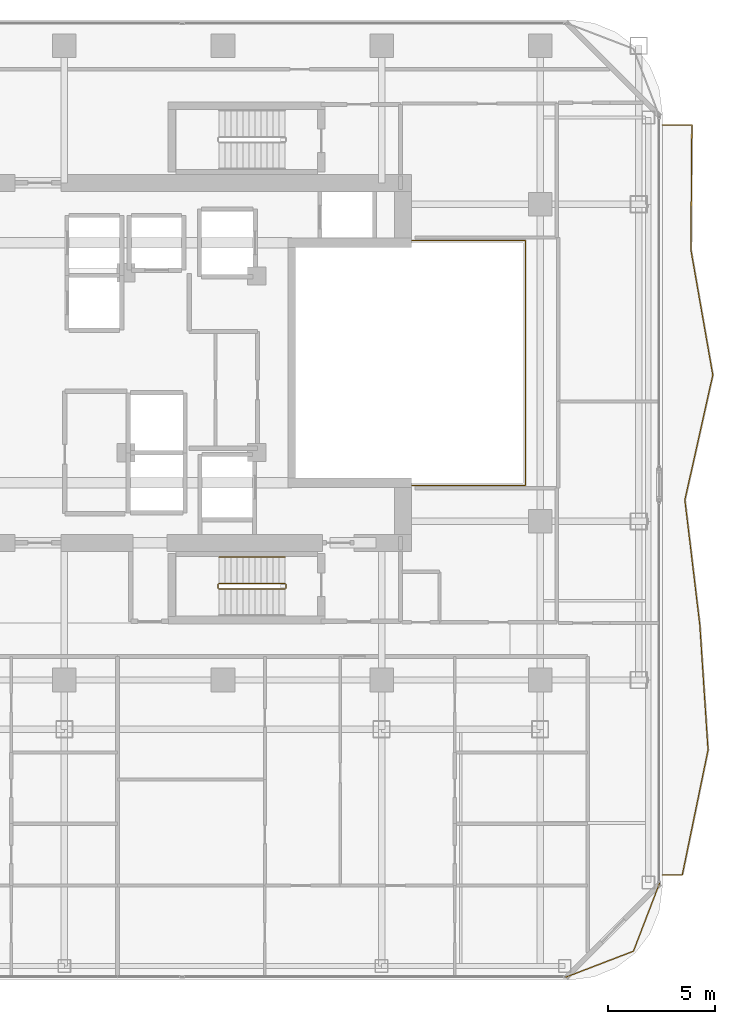
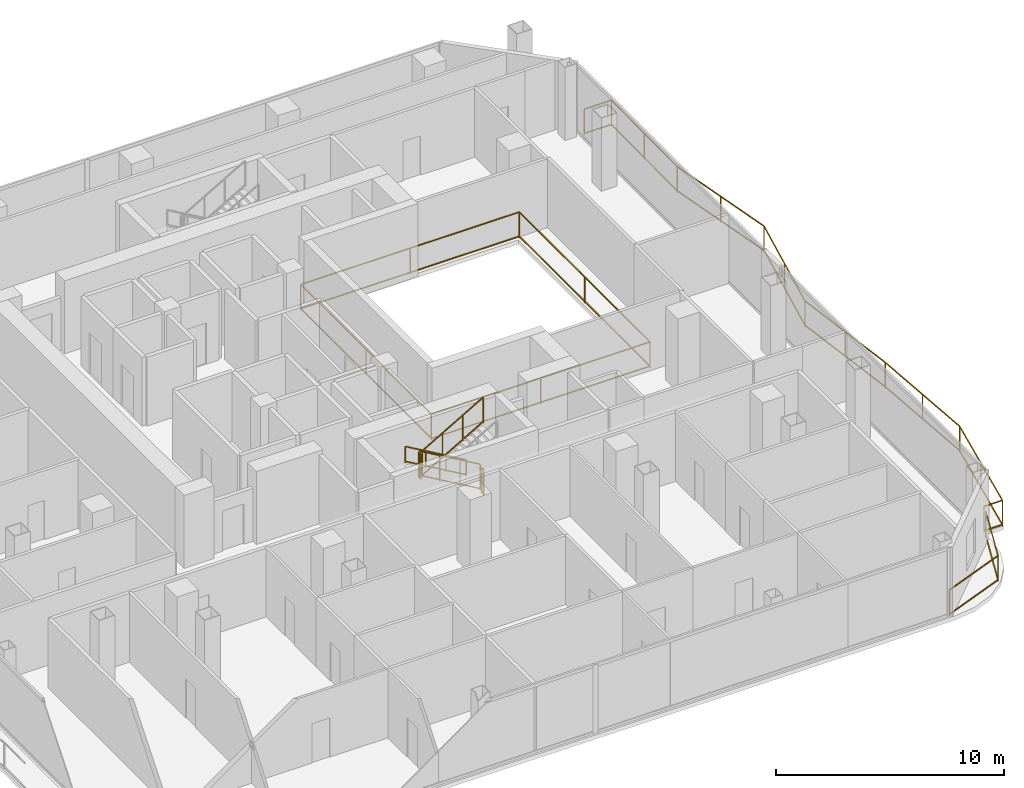
# One storey, part 22 of 23: 8 railings.
"""IFC4 building model written with IfcOpenShell, lengths in metres."""

from ifc_helpers import new_model, si_unit, direction, frame, origin, origin_2d, place, context, subcontext, project, spatial, rectangle, extrude, material, type_object, element, save


model = new_model("IFC4")

# Units and contexts
model_context = context("Model", 3, precision=1e-05, world=origin(), true_north=direction((0.0, 1.0)))
body_context = subcontext(model_context, "Body", "Model", "MODEL_VIEW")
ifc_project = project(units=[si_unit("LENGTHUNIT", "METRE"), si_unit("AREAUNIT", "SQUARE_METRE"), si_unit("VOLUMEUNIT", "CUBIC_METRE"), si_unit("PLANEANGLEUNIT", "RADIAN"), si_unit("MASSUNIT", "GRAM", prefix="KILO")], contexts=[model_context])

# Site, building, storey
site_placement = place(None, origin())
site = spatial("IfcSite", under=ifc_project, at=site_placement, CompositionType="ELEMENT")
building_placement = place(site_placement, origin())
building = spatial("IfcBuilding", under=site, at=building_placement, Name="Khorvyn Point Tower", CompositionType="ELEMENT")
storey_placement = place(building_placement, frame((0.0, 0.0, 199.199951171875)))
storey = spatial("IfcBuildingStorey", under=building, at=storey_placement, Name="L49", CompositionType="ELEMENT", Elevation=199.199951171875)

# Railings
ifc_material_1 = material(Name="Stainless steel 1.4401 and laminated glass", Category="steel")
railing_type_1 = type_object("IfcRailingType", Name="Crystal Atrium Smoke-Rated Perimeter Guardrail 1400", PredefinedType="GUARDRAIL", material=ifc_material_1)
railing_1_placement = place(storey_placement, frame((3.080078125, -5.719970703125, 0.0)))
element("IfcRailing", 1, at=railing_1_placement, inside=storey, type_object=railing_type_1, Name="L49 Crystal Atrium Perimeter Guardrail", PredefinedType="GUARDRAIL", context=body_context, shape_type="SweptSolid", body=[
    extrude(rectangle(XDim=0.048095703125, YDim=0.048095703125, at=origin_2d()), frame((0.0, 0.0, 1.3759765625), z_axis=(1.0, 0.0, 0.0), x_axis=(0.0, 1.0, 0.0)), (0.0, 0.0, 1.0), 11.0400390625),
    extrude(rectangle(XDim=0.048095703125, YDim=0.048095703125, at=origin_2d()), frame((0.0, 0.0, 0.080078125), z_axis=(1.0, 0.0, 0.0), x_axis=(0.0, 1.0, 0.0)), (0.0, 0.0, 1.0), 11.0400390625),
    extrude(rectangle(XDim=0.048095703125, YDim=0.048095703125, at=origin_2d()), frame((11.0400390625, 0.0, 1.3759765625), z_axis=(0.0, 1.0, 0.0), x_axis=(-1.0, 0.0, 0.0)), (0.0, 0.0, 1.0), 11.43994140625),
    extrude(rectangle(XDim=0.048095703125, YDim=0.048095703125, at=origin_2d()), frame((11.0400390625, 0.0, 0.080078125), z_axis=(0.0, 1.0, 0.0), x_axis=(-1.0, 0.0, 0.0)), (0.0, 0.0, 1.0), 11.43994140625),
    extrude(rectangle(XDim=0.048095703125, YDim=0.048095703125, at=origin_2d()), frame((11.0400390625, 11.43994140625, 1.3759765625), z_axis=(-1.0, 0.0, 0.0), x_axis=(0.0, -1.0, 0.0)), (0.0, 0.0, 1.0), 11.0400390625),
    extrude(rectangle(XDim=0.048095703125, YDim=0.048095703125, at=origin_2d()), frame((11.0400390625, 11.43994140625, 0.080078125), z_axis=(-1.0, 0.0, 0.0), x_axis=(0.0, -1.0, 0.0)), (0.0, 0.0, 1.0), 11.0400390625),
    extrude(rectangle(XDim=0.048095703125, YDim=0.048095703125, at=origin_2d()), frame((0.0, 11.43994140625, 1.3759765625), z_axis=(0.0, -1.0, 0.0), x_axis=(1.0, 0.0, 0.0)), (0.0, 0.0, 1.0), 11.409912109375),
    extrude(rectangle(XDim=0.048095703125, YDim=0.048095703125, at=origin_2d()), frame((0.0, 11.43994140625, 0.080078125), z_axis=(0.0, -1.0, 0.0), x_axis=(1.0, 0.0, 0.0)), (0.0, 0.0, 1.0), 11.409912109375),
    extrude(rectangle(XDim=0.0419921875, YDim=0.0419921875, at=origin_2d()), origin(), (0.0, 0.0, 1.0), 1.351806640625),
    extrude(rectangle(XDim=0.0419921875, YDim=0.0419921875, at=origin_2d()), frame((5.52001953125, 0.0, 0.0)), (0.0, 0.0, 1.0), 1.351806640625),
    extrude(rectangle(XDim=0.0419921875, YDim=0.0419921875, at=origin_2d()), frame((11.0400390625, 0.0, 0.0)), (0.0, 0.0, 1.0), 1.351806640625),
    extrude(rectangle(XDim=0.0419921875, YDim=0.0419921875, at=origin_2d()), frame((11.0400390625, 5.719970703125, 0.0)), (0.0, 0.0, 1.0), 1.351806640625),
    extrude(rectangle(XDim=0.0419921875, YDim=0.0419921875, at=origin_2d()), frame((11.0400390625, 11.43994140625, 0.0)), (0.0, 0.0, 1.0), 1.351806640625),
    extrude(rectangle(XDim=0.0419921875, YDim=0.0419921875, at=origin_2d()), frame((5.52001953125, 11.43994140625, 0.0)), (0.0, 0.0, 1.0), 1.351806640625),
    extrude(rectangle(XDim=0.0419921875, YDim=0.0419921875, at=origin_2d()), frame((0.0, 11.43994140625, 0.0)), (0.0, 0.0, 1.0), 1.351806640625),
    extrude(rectangle(XDim=0.0419921875, YDim=0.0419921875, at=origin_2d()), frame((0.0, 5.73486328125, 0.0)), (0.0, 0.0, 1.0), 1.351806640625),
    extrude(rectangle(XDim=0.0419921875, YDim=0.0419921875, at=origin_2d()), frame((0.0, 0.030029296875, 0.0)), (0.0, 0.0, 1.0), 1.351806640625),
])
ifc_material_2 = material(Name="Anodised aluminium 6063-T6 and laminated safety glass", Category="aluminium")
railing_type_2 = type_object("IfcRailingType", Name="Laminated Glass and Aluminium Balcony Guardrail 1400", PredefinedType="BALUSTRADE", material=ifc_material_2)
railing_2_placement = place(storey_placement, frame((15.981201171875, -28.67431640625, 0.0)))
element("IfcRailing", 2, at=railing_2_placement, inside=storey, type_object=railing_type_2, Name="L49 Rounded Corner Edge Guardrail SE", PredefinedType="BALUSTRADE", context=body_context, shape_type="SweptSolid", body=[
    extrude(rectangle(XDim=0.048095703125, YDim=0.048095703125, at=origin_2d()), frame((0.0, 0.0, 1.3759765625), z_axis=(0.933589651443, 0.358343916815, 0.0), x_axis=(-0.358343916815, 0.933589651443, 0.0)), (0.0, 0.0, 1.0), 3.400390625),
    extrude(rectangle(XDim=0.048095703125, YDim=0.048095703125, at=origin_2d()), frame((0.0, 0.0, 0.080078125), z_axis=(0.933589651443, 0.358343916815, 0.0), x_axis=(-0.358343916815, 0.933589651443, 0.0)), (0.0, 0.0, 1.0), 3.400390625),
    extrude(rectangle(XDim=0.048095703125, YDim=0.048095703125, at=origin_2d()), frame((3.174560546875, 1.218505859375, 1.3759765625), z_axis=(0.358343916815, 0.933589651443, 0.0), x_axis=(-0.933589651443, 0.358343916815, 0.0)), (0.0, 0.0, 1.0), 3.400390625),
    extrude(rectangle(XDim=0.048095703125, YDim=0.048095703125, at=origin_2d()), frame((3.174560546875, 1.218505859375, 0.080078125), z_axis=(0.358343916815, 0.933589651443, 0.0), x_axis=(-0.933589651443, 0.358343916815, 0.0)), (0.0, 0.0, 1.0), 3.400390625),
    extrude(rectangle(XDim=0.0419921875, YDim=0.0419921875, at=origin_2d()), origin(), (0.0, 0.0, 1.0), 1.351806640625),
    extrude(rectangle(XDim=0.0419921875, YDim=0.0419921875, at=origin_2d()), frame((3.174560546875, 1.218505859375, 0.0)), (0.0, 0.0, 1.0), 1.351806640625),
    extrude(rectangle(XDim=0.0419921875, YDim=0.0419921875, at=origin_2d()), frame((4.39306640625, 4.39306640625, 0.0)), (0.0, 0.0, 1.0), 1.351806640625),
])
railing_3_placement = place(storey_placement, frame((20.5, -23.89990234375, 0.0)))
element("IfcRailing", 3, at=railing_3_placement, inside=storey, type_object=railing_type_2, Name="L49 East Balcony Guardrail", PredefinedType="BALUSTRADE", context=body_context, shape_type="SweptSolid", body=[
    extrude(rectangle(XDim=0.048095703125, YDim=0.048095703125, at=origin_2d()), frame((0.0, 0.0, 1.3759765625), z_axis=(1.0, 0.0, 0.0), x_axis=(0.0, 1.0, 0.0)), (0.0, 0.0, 1.0), 0.9326171875),
    extrude(rectangle(XDim=0.048095703125, YDim=0.048095703125, at=origin_2d()), frame((0.0, 0.0, 0.080078125), z_axis=(1.0, 0.0, 0.0), x_axis=(0.0, 1.0, 0.0)), (0.0, 0.0, 1.0), 0.9326171875),
    extrude(rectangle(XDim=0.048095703125, YDim=0.048095703125, at=origin_2d()), frame((0.9326171875, 0.0, 1.3759765625), z_axis=(0.20196171942, 0.979393416299, 0.0), x_axis=(-0.979393416299, 0.20196171942, 0.0)), (0.0, 0.0, 1.0), 5.9560546875),
    extrude(rectangle(XDim=0.048095703125, YDim=0.048095703125, at=origin_2d()), frame((0.9326171875, 0.0, 0.080078125), z_axis=(0.20196171942, 0.979393416299, 0.0), x_axis=(-0.979393416299, 0.20196171942, 0.0)), (0.0, 0.0, 1.0), 5.9560546875),
    extrude(rectangle(XDim=0.048095703125, YDim=0.048095703125, at=origin_2d()), frame((2.135498046875, 5.833251953125, 1.3759765625), z_axis=(-0.065568220797, 0.99784808885, 0.0), x_axis=(-0.99784808885, -0.065568220797, 0.0)), (0.0, 0.0, 1.0), 5.845947265625),
    extrude(rectangle(XDim=0.048095703125, YDim=0.048095703125, at=origin_2d()), frame((2.135498046875, 5.833251953125, 0.080078125), z_axis=(-0.065568220797, 0.99784808885, 0.0), x_axis=(-0.99784808885, -0.065568220797, 0.0)), (0.0, 0.0, 1.0), 5.845947265625),
    extrude(rectangle(XDim=0.048095703125, YDim=0.048095703125, at=origin_2d()), frame((1.752197265625, 11.66650390625, 1.3759765625), z_axis=(-0.118724083509, 0.992927284344, 0.0), x_axis=(-0.992927284344, -0.118724083509, 0.0)), (0.0, 0.0, 1.0), 5.875),
    extrude(rectangle(XDim=0.048095703125, YDim=0.048095703125, at=origin_2d()), frame((1.752197265625, 11.66650390625, 0.080078125), z_axis=(-0.118724083509, 0.992927284344, 0.0), x_axis=(-0.992927284344, -0.118724083509, 0.0)), (0.0, 0.0, 1.0), 5.875),
    extrude(rectangle(XDim=0.048095703125, YDim=0.048095703125, at=origin_2d()), frame((1.0546875, 17.5, 1.3759765625), z_axis=(0.218037493008, 0.975940393489, 0.0), x_axis=(-0.975940393489, 0.218037493008, 0.0)), (0.0, 0.0, 1.0), 5.97705078125),
    extrude(rectangle(XDim=0.048095703125, YDim=0.048095703125, at=origin_2d()), frame((1.0546875, 17.5, 0.080078125), z_axis=(0.218037493008, 0.975940393489, 0.0), x_axis=(-0.975940393489, 0.218037493008, 0.0)), (0.0, 0.0, 1.0), 5.97705078125),
    extrude(rectangle(XDim=0.048095703125, YDim=0.048095703125, at=origin_2d()), frame((2.35791015625, 23.333251953125, 1.3759765625), z_axis=(-0.172409332751, 0.985025391541, 0.0), x_axis=(-0.985025391541, -0.172409332751, 0.0)), (0.0, 0.0, 1.0), 5.921875),
    extrude(rectangle(XDim=0.048095703125, YDim=0.048095703125, at=origin_2d()), frame((2.35791015625, 23.333251953125, 0.080078125), z_axis=(-0.172409332751, 0.985025391541, 0.0), x_axis=(-0.985025391541, -0.172409332751, 0.0)), (0.0, 0.0, 1.0), 5.921875),
    extrude(rectangle(XDim=0.048095703125, YDim=0.048095703125, at=origin_2d()), frame((1.3369140625, 29.16650390625, 1.3759765625), z_axis=(0.00740751418, 0.99997256399, 0.0), x_axis=(-0.99997256399, 0.00740751418, 0.0)), (0.0, 0.0, 1.0), 5.833740234375),
    extrude(rectangle(XDim=0.048095703125, YDim=0.048095703125, at=origin_2d()), frame((1.3369140625, 29.16650390625, 0.080078125), z_axis=(0.00740751418, 0.99997256399, 0.0), x_axis=(-0.99997256399, 0.00740751418, 0.0)), (0.0, 0.0, 1.0), 5.833740234375),
    extrude(rectangle(XDim=0.048095703125, YDim=0.048095703125, at=origin_2d()), frame((1.380126953125, 35.0, 1.3759765625), z_axis=(-1.0, 0.0, 0.0), x_axis=(0.0, -1.0, 0.0)), (0.0, 0.0, 1.0), 1.380126953125),
    extrude(rectangle(XDim=0.048095703125, YDim=0.048095703125, at=origin_2d()), frame((1.380126953125, 35.0, 0.080078125), z_axis=(-1.0, 0.0, 0.0), x_axis=(0.0, -1.0, 0.0)), (0.0, 0.0, 1.0), 1.380126953125),
    extrude(rectangle(XDim=0.0419921875, YDim=0.0419921875, at=origin_2d()), origin(), (0.0, 0.0, 1.0), 1.351806640625),
    extrude(rectangle(XDim=0.0419921875, YDim=0.0419921875, at=origin_2d()), frame((0.9326171875, 0.0, 0.0)), (0.0, 0.0, 1.0), 1.351806640625),
    extrude(rectangle(XDim=0.0419921875, YDim=0.0419921875, at=origin_2d()), frame((1.5341796875, 2.91650390625, 0.0)), (0.0, 0.0, 1.0), 1.351806640625),
    extrude(rectangle(XDim=0.0419921875, YDim=0.0419921875, at=origin_2d()), frame((2.135498046875, 5.833251953125, 0.0)), (0.0, 0.0, 1.0), 1.351806640625),
    extrude(rectangle(XDim=0.0419921875, YDim=0.0419921875, at=origin_2d()), frame((1.94384765625, 8.75, 0.0)), (0.0, 0.0, 1.0), 1.351806640625),
    extrude(rectangle(XDim=0.0419921875, YDim=0.0419921875, at=origin_2d()), frame((1.752197265625, 11.66650390625, 0.0)), (0.0, 0.0, 1.0), 1.351806640625),
    extrude(rectangle(XDim=0.0419921875, YDim=0.0419921875, at=origin_2d()), frame((1.4033203125, 14.583251953125, 0.0)), (0.0, 0.0, 1.0), 1.351806640625),
    extrude(rectangle(XDim=0.0419921875, YDim=0.0419921875, at=origin_2d()), frame((1.0546875, 17.5, 0.0)), (0.0, 0.0, 1.0), 1.351806640625),
    extrude(rectangle(XDim=0.0419921875, YDim=0.0419921875, at=origin_2d()), frame((1.706298828125, 20.41650390625, 0.0)), (0.0, 0.0, 1.0), 1.351806640625),
    extrude(rectangle(XDim=0.0419921875, YDim=0.0419921875, at=origin_2d()), frame((2.35791015625, 23.333251953125, 0.0)), (0.0, 0.0, 1.0), 1.351806640625),
    extrude(rectangle(XDim=0.0419921875, YDim=0.0419921875, at=origin_2d()), frame((1.847412109375, 26.25, 0.0)), (0.0, 0.0, 1.0), 1.351806640625),
    extrude(rectangle(XDim=0.0419921875, YDim=0.0419921875, at=origin_2d()), frame((1.3369140625, 29.16650390625, 0.0)), (0.0, 0.0, 1.0), 1.351806640625),
    extrude(rectangle(XDim=0.0419921875, YDim=0.0419921875, at=origin_2d()), frame((1.3583984375, 32.083251953125, 0.0)), (0.0, 0.0, 1.0), 1.351806640625),
    extrude(rectangle(XDim=0.0419921875, YDim=0.0419921875, at=origin_2d()), frame((1.380126953125, 35.0, 0.0)), (0.0, 0.0, 1.0), 1.351806640625),
    extrude(rectangle(XDim=0.0419921875, YDim=0.0419921875, at=origin_2d()), frame((0.0, 35.0, 0.0)), (0.0, 0.0, 1.0), 1.351806640625),
])
ifc_material_3 = material(Name="Stainless steel 1.4301", Category="steel")
railing_type_3 = type_object("IfcRailingType", Name="Stainless Steel 304 Stair Pitch Handrail 900", PredefinedType="HANDRAIL", material=ifc_material_3)
railing_4_placement = place(storey_placement, frame((2.89990234375, -9.070068359375, 0.16259765625)))
element("IfcRailing", 4, at=railing_4_placement, inside=storey, type_object=railing_type_3, Name="L49 ST-01 stair handrail 1", PredefinedType="HANDRAIL", context=body_context, shape_type="SweptSolid", body=[
    extrude(rectangle(XDim=0.048095703125, YDim=0.048095703125, at=origin_2d()), frame((0.0, 0.0, 0.8759765625), z_axis=(-0.864903211148, 0.0, 0.501938676878), x_axis=(0.0, -1.0, 0.0)), (0.0, 0.0, 1.0), 3.560791015625),
    extrude(rectangle(XDim=0.048095703125, YDim=0.048095703125, at=origin_2d()), frame((0.0, 0.0, 0.080078125), z_axis=(-0.864903211148, 0.0, 0.501938676878), x_axis=(0.0, -1.0, 0.0)), (0.0, 0.0, 1.0), 3.560791015625),
    extrude(rectangle(XDim=0.0419921875, YDim=0.0419921875, at=origin_2d()), origin(), (0.0, 0.0, 1.0), 0.851806640625),
    extrude(rectangle(XDim=0.0419921875, YDim=0.0419921875, at=origin_2d()), frame((-1.026611328125, 0.0, 0.595703125)), (0.0, 0.0, 1.0), 0.851806640625),
    extrude(rectangle(XDim=0.0419921875, YDim=0.0419921875, at=origin_2d()), frame((-2.05322265625, 0.0, 1.191650390625)), (0.0, 0.0, 1.0), 0.851806640625),
    extrude(rectangle(XDim=0.0419921875, YDim=0.0419921875, at=origin_2d()), frame((-3.079833984375, 0.0, 1.787353515625)), (0.0, 0.0, 1.0), 0.851806640625),
])
railing_type_4 = type_object("IfcRailingType", Name="Stainless Steel 304 Stair Well Guardrail 1400", PredefinedType="GUARDRAIL", material=ifc_material_3)
railing_5_placement = place(storey_placement, frame((2.89990234375, -10.2900390625, 0.16259765625)))
element("IfcRailing", 5, at=railing_5_placement, inside=storey, type_object=railing_type_4, Name="L49 ST-01 stair guard 1", PredefinedType="GUARDRAIL", context=body_context, shape_type="SweptSolid", body=[
    extrude(rectangle(XDim=0.048095703125, YDim=0.048095703125, at=origin_2d()), frame((0.0, 0.0, 1.3759765625), z_axis=(-0.864903211148, 0.0, 0.501938676878), x_axis=(0.0, -1.0, 0.0)), (0.0, 0.0, 1.0), 3.560791015625),
    extrude(rectangle(XDim=0.048095703125, YDim=0.048095703125, at=origin_2d()), frame((0.0, 0.0, 0.080078125), z_axis=(-0.864903211148, 0.0, 0.501938676878), x_axis=(0.0, -1.0, 0.0)), (0.0, 0.0, 1.0), 3.560791015625),
    extrude(rectangle(XDim=0.0419921875, YDim=0.0419921875, at=origin_2d()), origin(), (0.0, 0.0, 1.0), 1.351806640625),
    extrude(rectangle(XDim=0.0419921875, YDim=0.0419921875, at=origin_2d()), frame((-1.026611328125, 0.0, 0.595703125)), (0.0, 0.0, 1.0), 1.351806640625),
    extrude(rectangle(XDim=0.0419921875, YDim=0.0419921875, at=origin_2d()), frame((-2.05322265625, 0.0, 1.191650390625)), (0.0, 0.0, 1.0), 1.351806640625),
    extrude(rectangle(XDim=0.0419921875, YDim=0.0419921875, at=origin_2d()), frame((-3.079833984375, 0.0, 1.787353515625)), (0.0, 0.0, 1.0), 1.351806640625),
])
railing_6_placement = place(storey_placement, frame((-0.22998046875, -10.340087890625, 1.949951171875)))
element("IfcRailing", 6, at=railing_6_placement, inside=storey, type_object=railing_type_4, Name="L49 ST-01 stair guard 2", PredefinedType="GUARDRAIL", context=body_context, shape_type="SweptSolid", body=[
    extrude(rectangle(XDim=0.048095703125, YDim=0.048095703125, at=origin_2d()), frame((0.0, 0.0, 1.3759765625), z_axis=(0.0, -1.0, 0.0), x_axis=(1.0, 0.0, 0.0)), (0.0, 0.0, 1.0), 0.159912109375),
    extrude(rectangle(XDim=0.048095703125, YDim=0.048095703125, at=origin_2d()), frame((0.0, 0.0, 0.080078125), z_axis=(0.0, -1.0, 0.0), x_axis=(1.0, 0.0, 0.0)), (0.0, 0.0, 1.0), 0.159912109375),
    extrude(rectangle(XDim=0.0419921875, YDim=0.0419921875, at=origin_2d()), origin(), (0.0, 0.0, 1.0), 1.351806640625),
    extrude(rectangle(XDim=0.0419921875, YDim=0.0419921875, at=origin_2d()), frame((0.0, -0.159912109375, 0.0)), (0.0, 0.0, 1.0), 1.351806640625),
])
railing_7_placement = place(storey_placement, frame((-0.179931640625, -10.550048828125, 2.112548828125)))
element("IfcRailing", 7, at=railing_7_placement, inside=storey, type_object=railing_type_4, Name="L49 ST-01 stair guard 3", PredefinedType="GUARDRAIL", context=body_context, shape_type="SweptSolid", body=[
    extrude(rectangle(XDim=0.048095703125, YDim=0.048095703125, at=origin_2d()), frame((0.0, 0.0, 1.3759765625), z_axis=(0.864873446163, 0.0, 0.501989962173), x_axis=(0.0, 1.0, 0.0)), (0.0, 0.0, 1.0), 3.56103515625),
    extrude(rectangle(XDim=0.048095703125, YDim=0.048095703125, at=origin_2d()), frame((0.0, 0.0, 0.080078125), z_axis=(0.864873446163, 0.0, 0.501989962173), x_axis=(0.0, 1.0, 0.0)), (0.0, 0.0, 1.0), 3.56103515625),
    extrude(rectangle(XDim=0.0419921875, YDim=0.0419921875, at=origin_2d()), origin(), (0.0, 0.0, 1.0), 1.351806640625),
    extrude(rectangle(XDim=0.0419921875, YDim=0.0419921875, at=origin_2d()), frame((1.026611328125, 0.0, 0.595947265625)), (0.0, 0.0, 1.0), 1.351806640625),
    extrude(rectangle(XDim=0.0419921875, YDim=0.0419921875, at=origin_2d()), frame((2.05322265625, 0.0, 1.191650390625)), (0.0, 0.0, 1.0), 1.351806640625),
    extrude(rectangle(XDim=0.0419921875, YDim=0.0419921875, at=origin_2d()), frame((3.079833984375, 0.0, 1.78759765625)), (0.0, 0.0, 1.0), 1.351806640625),
])
railing_8_placement = place(storey_placement, frame((2.949951171875, -10.340087890625, 0.0)))
element("IfcRailing", 8, at=railing_8_placement, inside=storey, type_object=railing_type_4, Name="L49 ST-01 stair guard 4", PredefinedType="GUARDRAIL", context=body_context, shape_type="SweptSolid", body=[
    extrude(rectangle(XDim=0.048095703125, YDim=0.048095703125, at=origin_2d()), frame((0.0, 0.0, 1.3759765625), z_axis=(0.0, -1.0, 0.0), x_axis=(1.0, 0.0, 0.0)), (0.0, 0.0, 1.0), 0.159912109375),
    extrude(rectangle(XDim=0.048095703125, YDim=0.048095703125, at=origin_2d()), frame((0.0, 0.0, 0.080078125), z_axis=(0.0, -1.0, 0.0), x_axis=(1.0, 0.0, 0.0)), (0.0, 0.0, 1.0), 0.159912109375),
    extrude(rectangle(XDim=0.0419921875, YDim=0.0419921875, at=origin_2d()), origin(), (0.0, 0.0, 1.0), 1.351806640625),
    extrude(rectangle(XDim=0.0419921875, YDim=0.0419921875, at=origin_2d()), frame((0.0, -0.159912109375, 0.0)), (0.0, 0.0, 1.0), 1.351806640625),
])

save(model, "model.ifc")
